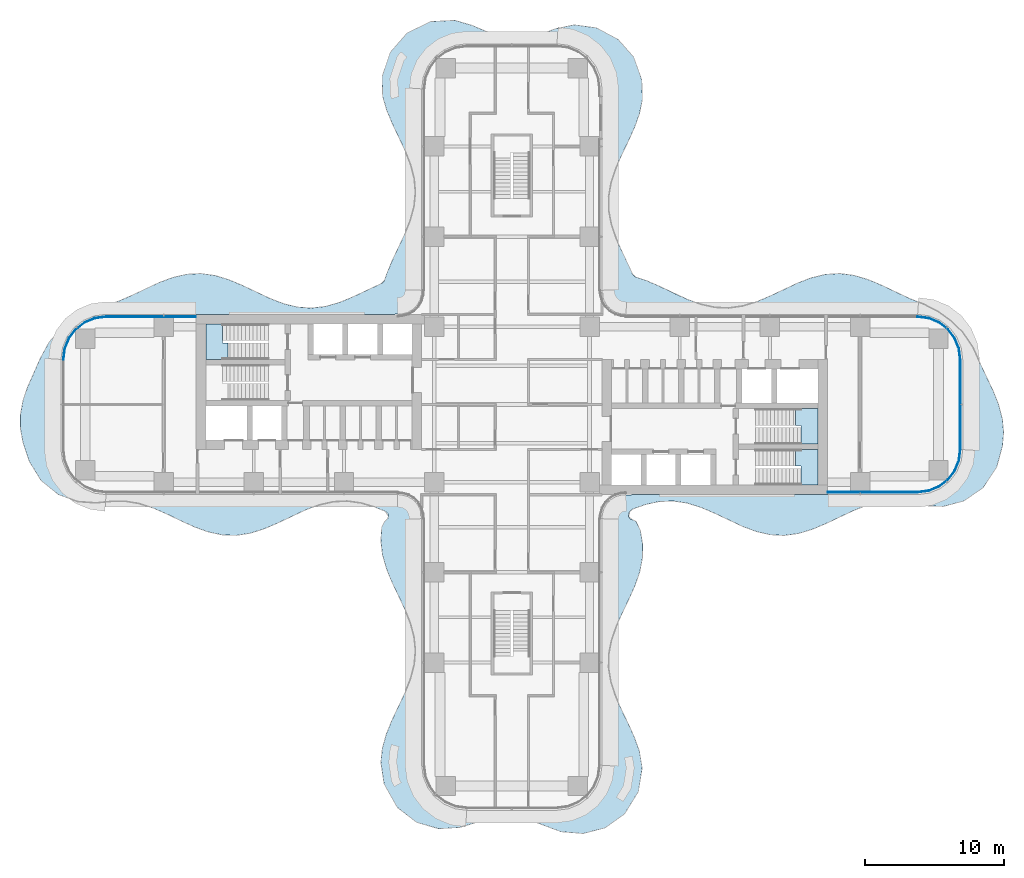
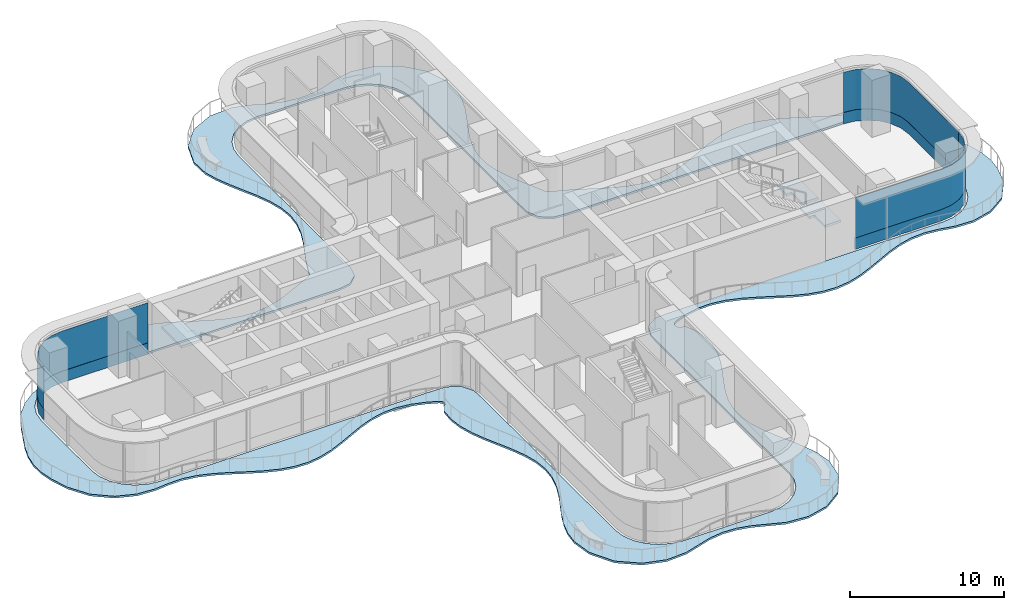
# One storey, part 15 of 23: 6 plates, 4 slabs, 6 elements without a shape of their own.
"""IFC4 building model written with IfcOpenShell, lengths in metres."""

from ifc_helpers import new_model, si_unit, direction, frame, origin, place, context, subcontext, project, spatial, polyline, outline, extrude, source, transform, mapped, material, layer, layer_set, type_object, element, aggregate, save


model = new_model("IFC4")

# Units and contexts
model_context = context("Model", 3, precision=1e-05, world=origin(), true_north=direction((0.0, 1.0)))
body_context = subcontext(model_context, "Body", "Model", "MODEL_VIEW")
ifc_project = project(units=[si_unit("LENGTHUNIT", "METRE"), si_unit("AREAUNIT", "SQUARE_METRE"), si_unit("VOLUMEUNIT", "CUBIC_METRE"), si_unit("PLANEANGLEUNIT", "RADIAN"), si_unit("MASSUNIT", "GRAM", prefix="KILO")], contexts=[model_context])

# Site, building, storey
site_placement = place(None, origin())
site = spatial("IfcSite", under=ifc_project, at=site_placement, CompositionType="ELEMENT")
building_placement = place(site_placement, origin())
building = spatial("IfcBuilding", under=site, at=building_placement, Name="Trellis Farm Tower", CompositionType="ELEMENT")
storey_placement = place(building_placement, frame((0.0, 0.0, 83.5)))
storey = spatial("IfcBuildingStorey", under=building, at=storey_placement, Name="L17", CompositionType="ELEMENT", Elevation=83.5)

# Slab
ifc_material_1 = material(Name="Concrete C40/50", Category="concrete")
ifc_layer_1 = layer(ifc_material_1, 0.14990234375)
ifc_layer_set_1 = layer_set([ifc_layer_1], Name="Balcony slab 150")
slab_type_1 = type_object("IfcSlabType", Name="Balcony slab 150", PredefinedType="FLOOR", material=ifc_layer_set_1)
slab_1_placement = place(storey_placement, frame((0.0, 0.0, -0.14990234375)))
element("IfcSlab", 1, at=slab_1_placement, inside=storey, type_object=slab_type_1, Name="Balcony slab", PredefinedType="FLOOR", context=body_context, shape_type="SweptSolid", body=[
    extrude(outline(polyline([(-8.901611328125, -8.0126953125), (-8.948486328125, -7.86328125), (-8.971923828125, -7.828369140625), (-9.1015625, -7.72216796875), (-9.1201171875, -7.711181640625), (-9.891845703125, -7.38818359375), (-9.8994140625, -7.385498046875), (-10.877685546875, -7.093505859375), (-10.88916015625, -7.091064453125), (-11.8681640625, -6.958984375), (-11.8818359375, -6.95849609375), (-12.8671875, -7.0068359375), (-12.880126953125, -7.008544921875), (-13.8740234375, -7.23388671875), (-13.883544921875, -7.23681640625), (-14.883056640625, -7.6083984375), (-14.888916015625, -7.61083984375), (-16.886474609375, -8.55126953125), (-16.891357421875, -8.553466796875), (-17.8740234375, -8.974365234375), (-17.888427734375, -8.9794921875), (-18.862548828125, -9.2841796875), (-18.885009765625, -9.28955078125), (-19.85400390625, -9.436279296875), (-19.88134765625, -9.43798828125), (-20.851806640625, -9.406982421875), (-20.8779296875, -9.40380859375), (-21.855712890625, -9.19677734375), (-21.87548828125, -9.191162109375), (-22.8623046875, -8.835693359375), (-22.87353515625, -8.8310546875), (-23.868408203125, -8.378173828125), (-23.871337890625, -8.376708984375), (-24.873291015625, -7.89404296875), (-24.8759765625, -7.892822265625), (-25.846923828125, -7.468505859375), (-25.853759765625, -7.466064453125), (-26.883056640625, -7.1318359375), (-26.89404296875, -7.129150390625), (-27.885009765625, -6.968017578125), (-27.898193359375, -6.967041015625), (-28.868408203125, -6.98291015625), (-28.87451171875, -6.983154296875), (-29.954833984375, -7.088134765625), (-29.9794921875, -7.088623046875), (-31.2626953125, -7.002685546875), (-31.303466796875, -6.994140625), (-32.64404296875, -6.51318359375), (-32.6875, -6.48876953125), (-33.90869140625, -5.50341796875), (-33.942138671875, -5.465576171875), (-34.79150390625, -4.08984375), (-34.80615234375, -4.05810546875), (-35.230712890625, -2.77197265625), (-35.23583984375, -2.752197265625), (-35.421630859375, -1.752197265625), (-35.42431640625, -1.72509765625), (-35.42626953125, -0.75537109375), (-35.423828125, -0.728515625), (-35.24951171875, 0.2412109375), (-35.244384765625, 0.26220703125), (-34.92333984375, 1.222412109375), (-34.918212890625, 1.2353515625), (-34.0, 3.310546875), (-33.99462890625, 3.3212890625), (-33.352294921875, 4.50439453125), (-33.331787109375, 4.533203125), (-32.47119140625, 5.48681640625), (-32.447998046875, 5.507568359375), (-31.525390625, 6.1806640625), (-31.5068359375, 6.1923828125), (-30.53564453125, 6.70361328125), (-30.5166015625, 6.7119140625), (-29.43603515625, 7.100341796875), (-29.431396484375, 7.101806640625), (-28.365234375, 7.4453125), (-28.3583984375, 7.447998046875), (-27.37548828125, 7.873291015625), (-27.372802734375, 7.87451171875), (-26.385986328125, 8.349609375), (-26.383544921875, 8.350830078125), (-25.397705078125, 8.803466796875), (-25.38720703125, 8.807861328125), (-24.40966796875, 9.168701171875), (-24.390625, 9.17431640625), (-23.419921875, 9.392578125), (-23.394287109375, 9.39599609375), (-22.42529296875, 9.4423828125), (-22.3974609375, 9.441162109375), (-21.39697265625, 9.3017578125), (-21.373779296875, 9.296630859375), (-20.400146484375, 8.99951171875), (-20.385498046875, 8.994384765625), (-19.4033203125, 8.578369140625), (-19.397705078125, 8.57568359375), (-17.423828125, 7.6435546875), (-17.418701171875, 7.641357421875), (-16.438232421875, 7.266845703125), (-16.42919921875, 7.263916015625), (-15.451416015625, 7.025390625), (-15.43896484375, 7.0234375), (-14.458251953125, 6.95458984375), (-14.4443359375, 6.955078125), (-13.4560546875, 7.068359375), (-13.44384765625, 7.07080078125), (-12.410888671875, 7.3662109375), (-12.40283203125, 7.368896484375), (-11.421142578125, 7.775390625), (-11.417724609375, 7.77685546875), (-9.38037109375, 8.7373046875), (-9.369384765625, 8.743408203125), (-9.2607421875, 8.819091796875), (-9.238525390625, 8.843505859375), (-9.17431640625, 8.957275390625), (-9.16796875, 8.972412109375), (-9.07666015625, 9.276611328125), (-9.072021484375, 9.289306640625), (-8.679931640625, 10.263427734375), (-8.676513671875, 10.271728515625), (-7.737060546875, 12.25537109375), (-7.735107421875, 12.25927734375), (-7.337646484375, 13.240478515625), (-7.3349609375, 13.2490234375), (-7.052978515625, 14.283203125), (-7.05078125, 14.29541015625), (-6.95361328125, 15.283203125), (-6.95361328125, 15.297119140625), (-7.038330078125, 16.277099609375), (-7.04052734375, 16.289306640625), (-7.292724609375, 17.267333984375), (-7.295654296875, 17.276123046875), (-7.679931640625, 18.2568359375), (-7.68212890625, 18.261474609375), (-8.6162109375, 20.235595703125), (-8.619384765625, 20.2421875), (-9.02685546875, 21.223388671875), (-9.0322265625, 21.239013671875), (-9.31201171875, 22.197021484375), (-9.318115234375, 22.234619140625), (-9.357666015625, 23.57080078125), (-9.356201171875, 23.597412109375), (-9.351318359375, 23.630615234375), (-9.34521484375, 23.656005859375), (-8.787109375, 25.329345703125), (-8.77490234375, 25.3564453125), (-8.755859375, 25.389892578125), (-8.738525390625, 25.4140625), (-7.5498046875, 26.773193359375), (-7.527587890625, 26.7939453125), (-7.49609375, 26.81787109375), (-7.47021484375, 26.83349609375), (-5.90771484375, 27.58056640625), (-5.880615234375, 27.59033203125), (-5.8447265625, 27.599609375), (-5.815185546875, 27.604248046875), (-4.14990234375, 27.694091796875), (-4.099609375, 27.688232421875), (-2.8896484375, 27.334716796875), (-2.873046875, 27.328857421875), (-1.89453125, 26.914306640625), (-1.887451171875, 26.911865234375), (-0.908935546875, 26.609619140625), (-0.8974609375, 26.607177734375), (0.14501953125, 26.45947265625), (0.1591796875, 26.458984375), (1.140380859375, 26.505126953125), (1.1533203125, 26.5068359375), (2.129638671875, 26.724609375), (2.13818359375, 26.72705078125), (3.15087890625, 27.082275390625), (3.16943359375, 27.08740234375), (4.462158203125, 27.36279296875), (4.488037109375, 27.365966796875), (4.522216796875, 27.3671875), (4.54833984375, 27.36572265625), (6.0849609375, 27.150390625), (6.111083984375, 27.144287109375), (6.14453125, 27.13330078125), (6.169189453125, 27.12255859375), (7.642578125, 26.319580078125), (7.66455078125, 26.3046875), (7.69140625, 26.283203125), (7.71044921875, 26.264892578125), (8.7705078125, 25.05224609375), (8.787109375, 25.02880859375), (8.805908203125, 24.99658203125), (8.818115234375, 24.970458984375), (9.366943359375, 23.387939453125), (9.375244140625, 23.3427734375), (9.41015625, 21.995361328125), (9.4072265625, 21.96142578125), (9.210693359375, 20.998779296875), (9.205322265625, 20.97900390625), (8.865478515625, 20.01611328125), (8.860595703125, 20.00439453125), (8.41259765625, 19.010009765625), (8.410888671875, 19.006591796875), (7.927978515625, 18.0048828125), (7.9267578125, 18.002685546875), (7.48486328125, 17.0), (7.482421875, 16.993408203125), (7.150146484375, 15.9951171875), (7.1474609375, 15.984619140625), (6.973876953125, 14.992919921875), (6.97265625, 14.9794921875), (6.97998046875, 13.99658203125), (6.981201171875, 13.9833984375), (7.164794921875, 13.005126953125), (7.16748046875, 12.994873046875), (7.5009765625, 12.015380859375), (7.50341796875, 12.00927734375), (7.935302734375, 11.0361328125), (7.936279296875, 11.033935546875), (8.41748046875, 10.03662109375), (8.419189453125, 10.033203125), (8.710693359375, 9.3857421875), (8.718505859375, 9.372314453125), (8.7900390625, 9.2744140625), (8.81298828125, 9.25390625), (8.918212890625, 9.193359375), (8.932373046875, 9.18701171875), (9.67431640625, 8.9453125), (9.687744140625, 8.940185546875), (10.664794921875, 8.514892578125), (10.669921875, 8.512451171875), (11.66357421875, 8.03369140625), (11.664794921875, 8.033203125), (12.649169921875, 7.583251953125), (12.654541015625, 7.5810546875), (13.634521484375, 7.222900390625), (13.64404296875, 7.22021484375), (14.6220703125, 7.00439453125), (14.635009765625, 7.002685546875), (15.616455078125, 6.959716796875), (15.630126953125, 6.960205078125), (16.6201171875, 7.099365234375), (16.63134765625, 7.101806640625), (17.628662109375, 7.406005859375), (17.635986328125, 7.40869140625), (18.65234375, 7.840576171875), (18.655029296875, 7.841796875), (20.641357421875, 8.77783203125), (20.65234375, 8.78271484375), (21.6181640625, 9.146728515625), (21.63671875, 9.15234375), (22.607421875, 9.382080078125), (22.63330078125, 9.385986328125), (23.634033203125, 9.44384765625), (23.661865234375, 9.44287109375), (24.630615234375, 9.317626953125), (24.65380859375, 9.312744140625), (25.626953125, 9.02587890625), (25.642333984375, 9.0205078125), (26.623779296875, 8.611083984375), (26.63037109375, 8.6083984375), (28.606689453125, 7.673095703125), (28.610595703125, 7.67138671875), (29.698974609375, 7.231689453125), (29.71142578125, 7.225830078125), (30.744873046875, 6.69287109375), (30.764404296875, 6.6806640625), (31.672119140625, 6.019287109375), (31.688720703125, 6.00537109375), (32.496337890625, 5.21533203125), (32.515625, 5.1923828125), (33.21826171875, 4.15576171875), (33.23095703125, 4.133056640625), (33.740478515625, 3.000244140625), (33.7412109375, 2.9990234375), (34.68017578125, 1.005859375), (34.68359375, 0.99755859375), (35.083251953125, -0.001708984375), (35.0888671875, -0.018798828125), (35.3505859375, -0.99951171875), (35.35498046875, -1.02392578125), (35.447265625, -1.99658203125), (35.447509765625, -2.023681640625), (35.364501953125, -2.9873046875), (35.35986328125, -3.013916015625), (34.96044921875, -4.482421875), (34.940673828125, -4.52587890625), (33.9619140625, -6.000732421875), (33.943115234375, -6.023681640625), (33.916748046875, -6.05029296875), (33.894287109375, -6.068603515625), (32.57080078125, -6.956787109375), (32.52490234375, -6.9775390625), (31.09521484375, -7.348876953125), (31.05126953125, -7.353515625), (29.74853515625, -7.2998046875), (29.724365234375, -7.296875), (28.635498046875, -7.072509765625), (28.629150390625, -7.071533203125), (27.6591796875, -6.956298828125), (27.6455078125, -6.955810546875), (26.6005859375, -7.0263671875), (26.587646484375, -7.0283203125), (25.60986328125, -7.269775390625), (25.600830078125, -7.2724609375), (24.64306640625, -7.639404296875), (24.637939453125, -7.6416015625), (22.6416015625, -8.583984375), (22.6357421875, -8.58642578125), (21.636474609375, -9.007080078125), (21.62109375, -9.012451171875), (20.638671875, -9.306640625), (20.615478515625, -9.3115234375), (19.641357421875, -9.44189453125), (19.61376953125, -9.443115234375), (18.64501953125, -9.3935546875), (18.619140625, -9.39013671875), (17.6484375, -9.1689453125), (17.629638671875, -9.1630859375), (16.652587890625, -8.800537109375), (16.640869140625, -8.795654296875), (14.666259765625, -7.8662109375), (14.6640625, -7.865234375), (13.68115234375, -7.441162109375), (13.674072265625, -7.438720703125), (12.643798828125, -7.114501953125), (12.63232421875, -7.11181640625), (11.64208984375, -6.96337890625), (11.62841796875, -6.96240234375), (10.646484375, -6.995849609375), (10.633544921875, -6.997314453125), (9.655517578125, -7.20458984375), (9.645751953125, -7.207275390625), (8.744873046875, -7.529296875), (8.732177734375, -7.535400390625), (8.6328125, -7.593505859375), (8.621337890625, -7.6015625), (8.52001953125, -7.689697265625), (8.506103515625, -7.705810546875), (8.41650390625, -7.845947265625), (8.405029296875, -7.885986328125), (8.40625, -8.04150390625), (8.41845703125, -8.081298828125), (8.504150390625, -8.2109375), (8.5361328125, -8.23779296875), (8.690185546875, -8.3046875), (8.70751953125, -8.309814453125), (8.83740234375, -8.331787109375), (8.947265625, -8.414306640625), (9.251220703125, -9.040283203125), (9.26416015625, -9.08056640625), (9.42822265625, -10.035400390625), (9.430419921875, -10.062255859375), (9.41943359375, -11.031982421875), (9.416748046875, -11.05859375), (9.230712890625, -12.0283203125), (9.22509765625, -12.048828125), (8.89453125, -13.010498046875), (8.889892578125, -13.022705078125), (8.447021484375, -14.0166015625), (8.445068359375, -14.020751953125), (7.96630859375, -15.012451171875), (7.96533203125, -15.014404296875), (7.52490234375, -15.998046875), (7.5224609375, -16.004150390625), (7.18212890625, -16.983642578125), (7.179443359375, -16.99365234375), (6.98681640625, -17.9716796875), (6.9853515625, -17.98486328125), (6.968505859375, -18.967529296875), (6.969482421875, -18.981201171875), (7.1337890625, -19.97216796875), (7.13623046875, -19.98291015625), (7.4609375, -20.98095703125), (7.463623046875, -20.98779296875), (7.9013671875, -21.990234375), (7.902587890625, -21.992919921875), (8.3837890625, -22.9912109375), (8.385009765625, -22.994140625), (8.833251953125, -23.9794921875), (8.837890625, -23.990478515625), (9.187744140625, -24.96142578125), (9.194580078125, -24.987548828125), (9.393798828125, -26.1708984375), (9.39404296875, -26.219482421875), (9.1357421875, -27.842529296875), (9.128173828125, -27.87109375), (9.114990234375, -27.906982421875), (9.101806640625, -27.93359375), (8.14306640625, -29.48681640625), (8.124755859375, -29.5107421875), (8.09814453125, -29.5390625), (8.075439453125, -29.558837890625), (6.749267578125, -30.4970703125), (6.7255859375, -30.5107421875), (6.693359375, -30.525634765625), (6.66748046875, -30.534912109375), (5.149658203125, -30.92333984375), (5.099853515625, -30.927490234375), (3.556884765625, -30.7978515625), (3.516845703125, -30.788818359375), (1.35791015625, -29.9814453125), (1.348388671875, -29.978515625), (0.41455078125, -29.764404296875), (0.402099609375, -29.7626953125), (-0.5791015625, -29.706787109375), (-0.593017578125, -29.707275390625), (-1.6357421875, -29.844970703125), (-1.647705078125, -29.847412109375), (-3.739990234375, -30.4853515625), (-3.774658203125, -30.49169921875), (-5.245849609375, -30.581298828125), (-5.29638671875, -30.575927734375), (-6.80078125, -30.14453125), (-6.8271484375, -30.13427734375), (-6.85986328125, -30.11767578125), (-6.8837890625, -30.102783203125), (-8.251220703125, -29.049072265625), (-8.2734375, -29.028076171875), (-8.29931640625, -28.998046875), (-8.31689453125, -28.972900390625), (-9.192138671875, -27.39111328125), (-9.202880859375, -27.36669921875), (-9.214111328125, -27.33349609375), (-9.220458984375, -27.3076171875), (-9.4423828125, -25.81640625), (-9.443359375, -25.77880859375), (-9.337890625, -24.77587890625), (-9.3330078125, -24.7509765625), (-9.051513671875, -23.7509765625), (-9.0458984375, -23.734619140625), (-8.6435546875, -22.75390625), (-8.640380859375, -22.746826171875), (-7.70556640625, -20.772705078125), (-7.70361328125, -20.768310546875), (-7.3134765625, -19.787353515625), (-7.310546875, -19.77880859375), (-7.0400390625, -18.74365234375), (-7.037841796875, -18.73095703125), (-6.95361328125, -17.743896484375), (-6.953857421875, -17.730224609375), (-7.05126953125, -16.75048828125), (-7.053466796875, -16.73828125), (-7.316650390625, -15.76025390625), (-7.3193359375, -15.751953125), (-7.71142578125, -14.770751953125), (-7.71337890625, -14.7666015625), (-8.6484375, -12.79248046875), (-8.651611328125, -12.784912109375), (-9.052001953125, -11.804443359375), (-9.0576171875, -11.788330078125), (-9.331298828125, -10.815673828125), (-9.3359375, -10.7919921875), (-9.44580078125, -9.822998046875), (-9.4462890625, -9.79541015625), (-9.378662109375, -8.852294921875), (-9.372314453125, -8.81884765625), (-9.35986328125, -8.7783203125), (-9.3466796875, -8.74755859375), (-9.155029296875, -8.413330078125), (-9.122314453125, -8.3740234375), (-8.966796875, -8.24072265625), (-8.944091796875, -8.205078125), (-8.901123046875, -8.0546875), (-8.901611328125, -8.0126953125)]), holes=[polyline([(-7.872314453125, -6.550048828125), (-7.106689453125, -6.919921875), (-7.0693359375, -6.94580078125), (-7.0283203125, -6.984130859375), (-7.00048828125, -7.019775390625), (-6.58544921875, -7.75439453125), (-6.572265625, -7.785888671875), (-6.559814453125, -7.827880859375), (-6.55419921875, -7.861572265625), (-6.50048828125, -8.790771484375), (-6.50048828125, -26.0), (-6.389892578125, -26.84130859375), (-6.065185546875, -27.625244140625), (-5.548583984375, -28.298583984375), (-4.875244140625, -28.815185546875), (-4.09130859375, -29.139892578125), (-3.25, -29.25048828125), (3.25, -29.25048828125), (4.09130859375, -29.139892578125), (4.875244140625, -28.815185546875), (5.548583984375, -28.298583984375), (6.065185546875, -27.625244140625), (6.389892578125, -26.84130859375), (6.50048828125, -26.0), (6.50048828125, -8.989501953125), (6.511962890625, -8.083984375), (6.514892578125, -8.057373046875), (6.521484375, -8.023193359375), (6.52880859375, -7.997314453125), (6.840087890625, -7.19580078125), (6.863525390625, -7.155517578125), (6.899658203125, -7.111083984375), (6.934326171875, -7.079833984375), (7.63720703125, -6.621826171875), (7.670166015625, -6.605712890625), (7.714111328125, -6.590576171875), (7.749755859375, -6.5830078125), (8.677490234375, -6.50048828125), (29.25, -6.50048828125), (30.09130859375, -6.389892578125), (30.875244140625, -6.065185546875), (31.548583984375, -5.548583984375), (32.065185546875, -4.875244140625), (32.389892578125, -4.09130859375), (32.50048828125, -3.25), (32.50048828125, 3.25), (32.389892578125, 4.09130859375), (32.065185546875, 4.875244140625), (31.548583984375, 5.548583984375), (30.875244140625, 6.065185546875), (30.09130859375, 6.389892578125), (29.25, 6.50048828125), (8.677490234375, 6.50048828125), (7.749755859375, 6.5830078125), (7.714111328125, 6.590576171875), (7.670166015625, 6.605712890625), (7.63720703125, 6.621826171875), (6.934326171875, 7.079833984375), (6.899658203125, 7.111083984375), (6.863525390625, 7.155517578125), (6.840087890625, 7.19580078125), (6.52880859375, 7.997314453125), (6.521484375, 8.023193359375), (6.514892578125, 8.057373046875), (6.511962890625, 8.083984375), (6.50048828125, 8.989501953125), (6.50048828125, 22.75), (6.389892578125, 23.59130859375), (6.065185546875, 24.375244140625), (5.548583984375, 25.048583984375), (4.875244140625, 25.565185546875), (4.09130859375, 25.889892578125), (3.25, 26.00048828125), (-3.25, 26.00048828125), (-4.09130859375, 25.889892578125), (-4.875244140625, 25.565185546875), (-5.548583984375, 25.048583984375), (-6.065185546875, 24.375244140625), (-6.389892578125, 23.59130859375), (-6.50048828125, 22.75), (-6.50048828125, 8.313720703125), (-6.50439453125, 8.282470703125), (-6.724365234375, 7.396484375), (-6.7412109375, 7.355712890625), (-6.768798828125, 7.309814453125), (-6.7958984375, 7.276123046875), (-7.408935546875, 6.71240234375), (-7.444580078125, 6.68798828125), (-7.492919921875, 6.66455078125), (-7.534423828125, 6.651123046875), (-8.439208984375, 6.501953125), (-8.456298828125, 6.50048828125), (-29.25, 6.50048828125), (-30.09130859375, 6.389892578125), (-30.875244140625, 6.065185546875), (-31.548583984375, 5.548583984375), (-32.065185546875, 4.875244140625), (-32.389892578125, 4.09130859375), (-32.50048828125, 3.25), (-32.50048828125, -3.25), (-32.389892578125, -4.09130859375), (-32.065185546875, -4.875244140625), (-31.548583984375, -5.548583984375), (-30.875244140625, -6.065185546875), (-30.09130859375, -6.389892578125), (-29.25, -6.50048828125), (-8.89599609375, -6.50048828125), (-7.973388671875, -6.525390625), (-7.94189453125, -6.52978515625), (-7.90234375, -6.539306640625), (-7.872314453125, -6.550048828125)])]), origin(), (0.0, 0.0, 1.0), 0.14990234375),
])

# Stair, slab
ifc_material_2 = material(Name="Concrete C50/60", Category="concrete")
stair_type = type_object("IfcStairType", Name="CORE EXIT STAIR 26 RISERS 173 MM", PredefinedType="HALF_TURN_STAIR", material=ifc_material_2)
placement_1 = place(storey_placement, origin())
stair_1 = element("IfcStair", 2, at=placement_1, inside=storey, type_object=stair_type, Name="Exit stair E1", PredefinedType="HALF_TURN_STAIR")
ifc_layer_2 = layer(ifc_material_2, 0.18994140625)
ifc_layer_set_2 = layer_set([ifc_layer_2], Name="CORE STAIR LANDING 190 CONCRETE C50/60")
slab_type_2 = type_object("IfcSlabType", Name="CORE STAIR LANDING 190 CONCRETE C50/60", PredefinedType="LANDING", material=ifc_layer_set_2)
shared_shape_1 = source(origin(), body_context, "Body", "SweptSolid", [
    extrude(outline(polyline([(20.840087890625, -5.800048828125), (20.840087890625, -4.60009765625), (20.85009765625, -4.60009765625), (20.85009765625, -4.449951171875), (20.453125, -4.449951171875), (20.453125, -3.25), (20.85009765625, -3.25), (22.050048828125, -3.25), (22.050048828125, -5.800048828125), (20.85009765625, -5.800048828125), (20.840087890625, -5.800048828125)])), origin(), (0.0, 0.0, 1.0), 0.18994140625),
])
placement_2 = place(storey_placement, frame((0.0, 0.0, 2.06005859375)))
slab_2 = element("IfcSlab", 3, at=placement_2, type_object=slab_type_2, Name="STE1 landing 1", PredefinedType="LANDING", context=body_context, shape_type="MappedRepresentation", body=[
    mapped(shared_shape_1, transform((0.0, 0.0, 0.0))),
])
aggregate(stair_1, [slab_2])

stair_2 = element("IfcStair", 4, at=placement_1, inside=storey, type_object=stair_type, Name="Exit stair E2", PredefinedType="HALF_TURN_STAIR")
shared_shape_2 = source(origin(), body_context, "Body", "SweptSolid", [
    extrude(outline(polyline([(20.840087890625, -2.85009765625), (20.840087890625, -1.64990234375), (20.85009765625, -1.64990234375), (20.85009765625, -1.5), (20.453125, -1.5), (20.453125, -0.300048828125), (20.85009765625, -0.300048828125), (22.050048828125, -0.300048828125), (22.050048828125, -2.85009765625), (20.85009765625, -2.85009765625), (20.840087890625, -2.85009765625)])), origin(), (0.0, 0.0, 1.0), 0.18994140625),
])
slab_3 = element("IfcSlab", 5, at=placement_2, type_object=slab_type_2, Name="STE2 landing 1", PredefinedType="LANDING", context=body_context, shape_type="MappedRepresentation", body=[
    mapped(shared_shape_2, transform((0.0, 0.0, 0.0))),
])
aggregate(stair_2, [slab_3])

stair_3 = element("IfcStair", 6, at=placement_1, inside=storey, type_object=stair_type, Name="Exit stair W1", PredefinedType="HALF_TURN_STAIR")
shared_shape_3 = source(origin(), body_context, "Body", "SweptSolid", [
    extrude(outline(polyline([(-20.453125, 4.449951171875), (-20.453125, 3.25), (-20.85009765625, 3.25), (-22.050048828125, 3.25), (-22.050048828125, 5.800048828125), (-20.85009765625, 5.800048828125), (-20.840087890625, 5.800048828125), (-20.840087890625, 4.60009765625), (-20.85009765625, 4.60009765625), (-20.85009765625, 4.449951171875), (-20.453125, 4.449951171875)])), origin(), (0.0, 0.0, 1.0), 0.18994140625),
])
slab_4 = element("IfcSlab", 7, at=placement_2, type_object=slab_type_2, Name="STW1 landing 1", PredefinedType="LANDING", context=body_context, shape_type="MappedRepresentation", body=[
    mapped(shared_shape_3, transform((0.0, 0.0, 0.0))),
])
aggregate(stair_3, [slab_4])

# Curtain wall, plates
ifc_material_3 = material(Name="Aluminium and glass curtain wall", Category="aluminium")
ifc_layer_3 = layer(ifc_material_3, 0.18994140625)
ifc_layer_set_3 = layer_set([ifc_layer_3], Name="RIBBON CURTAIN WALL CW1")
curtain_wall_type = type_object("IfcCurtainWallType", Name="RIBBON CURTAIN WALL CW1", PredefinedType="NOTDEFINED", material=ifc_layer_set_3)
curtain_wall_1 = element("IfcCurtainWall", 8, at=placement_1, inside=storey, type_object=curtain_wall_type, Name="CW1 005", PredefinedType="NOTDEFINED")
ifc_material_4 = material(Name="Clear insulated glass", Category="glass")
ifc_layer_4 = layer(ifc_material_4, 0.0400390625)
ifc_layer_set_4 = layer_set([ifc_layer_4], Name="CW1 GLASS PANEL 40")
plate_type_1 = type_object("IfcPlateType", Name="CW1 GLASS PANEL 40", PredefinedType="CURTAIN_PANEL", material=ifc_layer_set_4)
shared_shape_4 = source(origin(), body_context, "Body", "SweptSolid", [
    extrude(outline(polyline([(22.780029296875, -6.35009765625), (29.240234375, -6.35009765625), (30.052001953125, -6.2431640625), (30.79931640625, -5.93359375), (31.441162109375, -5.441162109375), (31.93359375, -4.79931640625), (32.2431640625, -4.052001953125), (32.35009765625, -3.240234375), (32.31005859375, -3.237548828125), (32.2041015625, -4.04150390625), (31.898681640625, -4.779296875), (31.41259765625, -5.41259765625), (30.779296875, -5.898681640625), (30.04150390625, -6.2041015625), (29.237548828125, -6.31005859375), (22.780029296875, -6.31005859375), (22.780029296875, -6.35009765625)])), origin(), (0.0, 0.0, 1.0), 3.170166015625),
])
placement_3 = place(storey_placement, frame((0.0, 0.0, 0.89990234375)))
plate_1 = element("IfcPlate", 9, at=placement_3, type_object=plate_type_1, Name="PL1 005", PredefinedType="CURTAIN_PANEL", context=body_context, shape_type="MappedRepresentation", body=[
    mapped(shared_shape_4, transform((0.0, 0.0, 0.0))),
])
ifc_material_5 = material(Name="Sandstone faced insulated panel", Category="masonry")
ifc_layer_5 = layer(ifc_material_5, 0.050048828125)
ifc_layer_set_5 = layer_set([ifc_layer_5], Name="CW1 STONE SPANDREL PANEL 50")
plate_type_2 = type_object("IfcPlateType", Name="CW1 STONE SPANDREL PANEL 50", PredefinedType="CURTAIN_PANEL", material=ifc_layer_set_5)
shared_shape_5 = source(origin(), body_context, "Body", "SweptSolid", [
    extrude(outline(polyline([(22.780029296875, -6.35009765625), (29.240234375, -6.35009765625), (30.052001953125, -6.2431640625), (30.79931640625, -5.93359375), (31.441162109375, -5.441162109375), (31.93359375, -4.79931640625), (32.2431640625, -4.052001953125), (32.35009765625, -3.240234375), (32.300048828125, -3.23681640625), (32.1943359375, -4.0390625), (31.889892578125, -4.774169921875), (31.405517578125, -5.405517578125), (30.774169921875, -5.889892578125), (30.0390625, -6.1943359375), (29.23681640625, -6.300048828125), (22.780029296875, -6.300048828125), (22.780029296875, -6.35009765625)])), origin(), (0.0, 0.0, 1.0), 0.89990234375),
])
plate_2 = element("IfcPlate", 10, at=placement_1, type_object=plate_type_2, Name="PS1 005", PredefinedType="CURTAIN_PANEL", context=body_context, shape_type="MappedRepresentation", body=[
    mapped(shared_shape_5, transform((0.0, 0.0, 0.0))),
])
aggregate(curtain_wall_1, [plate_1, plate_2])

curtain_wall_2 = element("IfcCurtainWall", 11, at=placement_1, inside=storey, type_object=curtain_wall_type, Name="CW1 012", PredefinedType="NOTDEFINED")
shared_shape_6 = source(origin(), body_context, "Body", "SweptSolid", [
    extrude(outline(polyline([(-22.780029296875, 6.35009765625), (-29.240234375, 6.35009765625), (-30.052001953125, 6.2431640625), (-30.79931640625, 5.93359375), (-31.441162109375, 5.441162109375), (-31.93359375, 4.79931640625), (-32.2431640625, 4.052001953125), (-32.35009765625, 3.240234375), (-32.31005859375, 3.237548828125), (-32.2041015625, 4.04150390625), (-31.898681640625, 4.779296875), (-31.41259765625, 5.41259765625), (-30.779296875, 5.898681640625), (-30.04150390625, 6.2041015625), (-29.237548828125, 6.31005859375), (-22.780029296875, 6.31005859375), (-22.780029296875, 6.35009765625)])), origin(), (0.0, 0.0, 1.0), 3.170166015625),
])
plate_3 = element("IfcPlate", 12, at=placement_3, type_object=plate_type_1, Name="PL1 012", PredefinedType="CURTAIN_PANEL", context=body_context, shape_type="MappedRepresentation", body=[
    mapped(shared_shape_6, transform((0.0, 0.0, 0.0))),
])
shared_shape_7 = source(origin(), body_context, "Body", "SweptSolid", [
    extrude(outline(polyline([(-22.780029296875, 6.35009765625), (-29.240234375, 6.35009765625), (-30.052001953125, 6.2431640625), (-30.79931640625, 5.93359375), (-31.441162109375, 5.441162109375), (-31.93359375, 4.79931640625), (-32.2431640625, 4.052001953125), (-32.35009765625, 3.240234375), (-32.300048828125, 3.23681640625), (-32.1943359375, 4.0390625), (-31.889892578125, 4.774169921875), (-31.405517578125, 5.405517578125), (-30.774169921875, 5.889892578125), (-30.0390625, 6.1943359375), (-29.23681640625, 6.300048828125), (-22.780029296875, 6.300048828125), (-22.780029296875, 6.35009765625)])), origin(), (0.0, 0.0, 1.0), 0.89990234375),
])
plate_4 = element("IfcPlate", 13, at=placement_1, type_object=plate_type_2, Name="PS1 012", PredefinedType="CURTAIN_PANEL", context=body_context, shape_type="MappedRepresentation", body=[
    mapped(shared_shape_7, transform((0.0, 0.0, 0.0))),
])
aggregate(curtain_wall_2, [plate_3, plate_4])

curtain_wall_3 = element("IfcCurtainWall", 14, at=placement_1, inside=storey, type_object=curtain_wall_type, Name="CW1 006", PredefinedType="NOTDEFINED")
shared_shape_8 = source(origin(), body_context, "Body", "SweptSolid", [
    extrude(outline(polyline([(32.35009765625, -3.240234375), (32.35009765625, 3.240234375), (32.2431640625, 4.052001953125), (31.93359375, 4.79931640625), (31.441162109375, 5.441162109375), (30.79931640625, 5.93359375), (30.052001953125, 6.2431640625), (29.240234375, 6.35009765625), (29.237548828125, 6.31005859375), (30.04150390625, 6.2041015625), (30.779296875, 5.898681640625), (31.41259765625, 5.41259765625), (31.898681640625, 4.779296875), (32.2041015625, 4.04150390625), (32.31005859375, 3.237548828125), (32.31005859375, -3.237548828125), (32.35009765625, -3.240234375)])), origin(), (0.0, 0.0, 1.0), 3.170166015625),
])
plate_5 = element("IfcPlate", 15, at=placement_3, type_object=plate_type_1, Name="PL1 006", PredefinedType="CURTAIN_PANEL", context=body_context, shape_type="MappedRepresentation", body=[
    mapped(shared_shape_8, transform((0.0, 0.0, 0.0))),
])
shared_shape_9 = source(origin(), body_context, "Body", "SweptSolid", [
    extrude(outline(polyline([(32.35009765625, -3.240234375), (32.35009765625, 3.240234375), (32.2431640625, 4.052001953125), (31.93359375, 4.79931640625), (31.441162109375, 5.441162109375), (30.79931640625, 5.93359375), (30.052001953125, 6.2431640625), (29.240234375, 6.35009765625), (29.23681640625, 6.300048828125), (30.0390625, 6.1943359375), (30.774169921875, 5.889892578125), (31.405517578125, 5.405517578125), (31.889892578125, 4.774169921875), (32.1943359375, 4.0390625), (32.300048828125, 3.23681640625), (32.300048828125, -3.23681640625), (32.35009765625, -3.240234375)])), origin(), (0.0, 0.0, 1.0), 0.89990234375),
])
plate_6 = element("IfcPlate", 16, at=placement_1, type_object=plate_type_2, Name="PS1 006", PredefinedType="CURTAIN_PANEL", context=body_context, shape_type="MappedRepresentation", body=[
    mapped(shared_shape_9, transform((0.0, 0.0, 0.0))),
])
aggregate(curtain_wall_3, [plate_5, plate_6])

save(model, "model.ifc")
